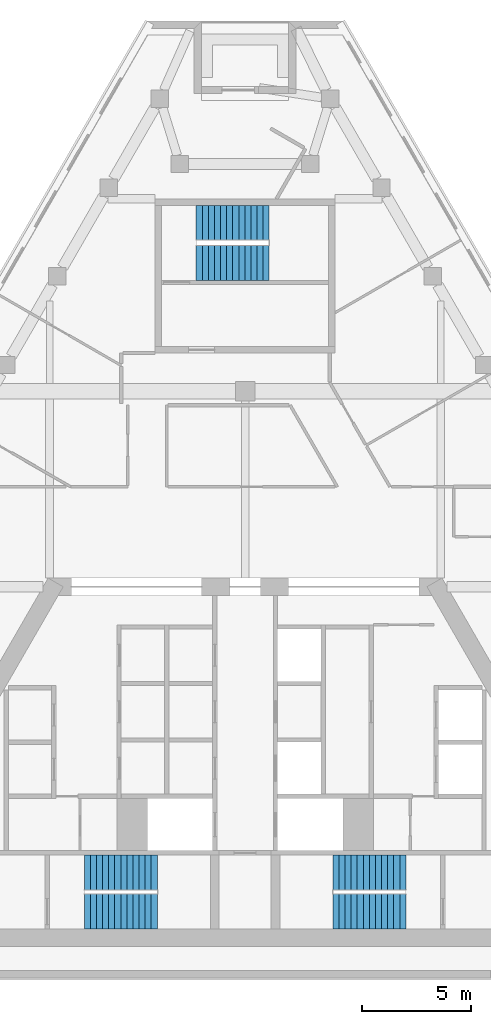
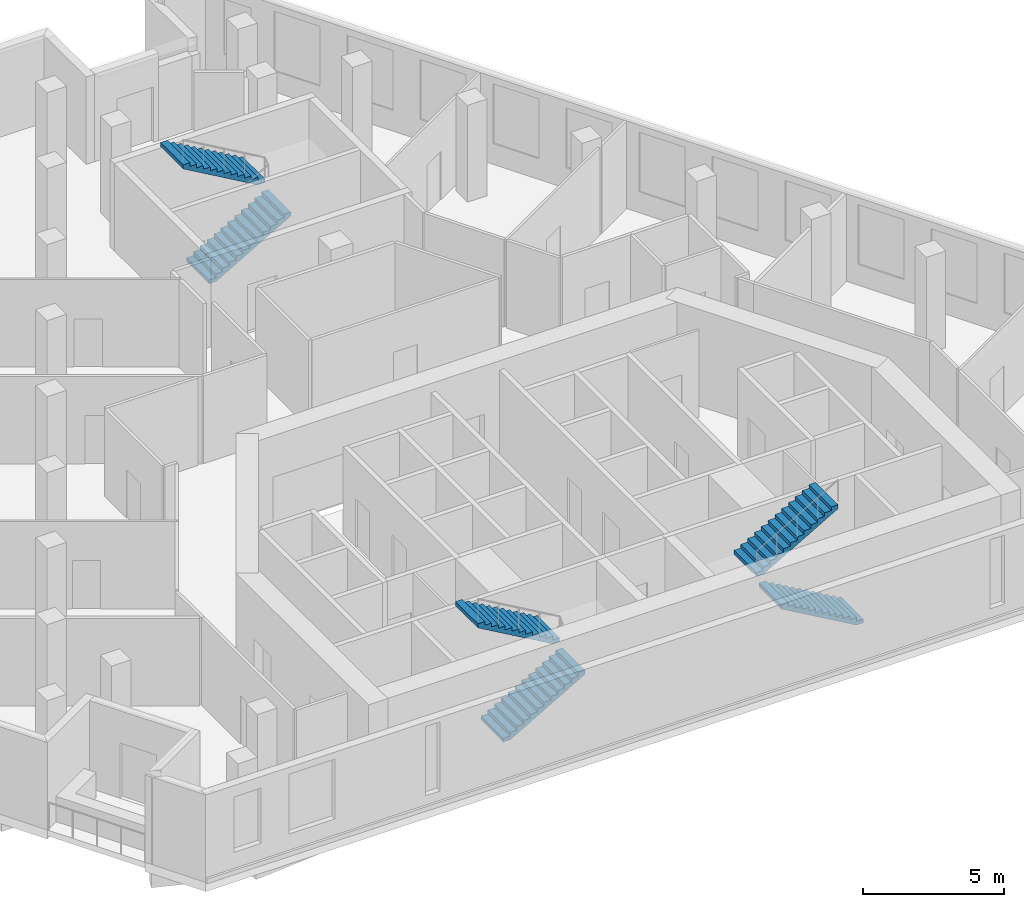
# One storey, part 8 of 9: 6 stair flights, 3 elements without a shape of their own.
"""IFC4 building model written with IfcOpenShell, lengths in metres."""

import ifcopenshell
import ifcopenshell.guid

model = None  # the IFC model being written
_history = None  # IfcOwnerHistory: only IFC2X3 demands one
_inside = {}  # id of a spatial element -> (the spatial element, [elements in it])
_under = {}  # id of a project, library or spatial element -> (it, [spatial elements below it])
_declared = {}  # id of a project -> (the project, [libraries it declares])
_typed = {}  # id of a type object -> (the type object, [elements of that type])
_made_of = {}  # id of a material, layer set ... -> (it, [elements and type objects made of it])


def new_model(schema):
    """Start an empty IFC model of exactly this schema.

    Asked for "IFC4X3", IfcOpenShell would pick the latest addendum, in which some entities
    have other attributes; the version numbers below select the first issue.
    IFC2X3 requires an IfcOwnerHistory on every rooted entity: one is made here for all.
    """
    global model, _history
    if schema == "IFC4X3":
        model = ifcopenshell.file(schema_version=(4, 3, 0, 0))
    else:
        model = ifcopenshell.file(schema=schema)
    _inside.clear()
    _under.clear()
    _declared.clear()
    _typed.clear()
    _made_of.clear()
    _history = None
    if model.schema == "IFC2X3":
        org = make("IfcOrganization", Name="unknown")
        user = make(
            "IfcPersonAndOrganization",
            ThePerson=make("IfcPerson", FamilyName="unknown"),
            TheOrganization=org,
        )
        app = make(
            "IfcApplication",
            ApplicationDeveloper=org,
            Version="unknown",
            ApplicationFullName="unknown",
            ApplicationIdentifier="unknown",
        )
        _history = make(
            "IfcOwnerHistory",
            OwningUser=user,
            OwningApplication=app,
            ChangeAction="ADDED",
            CreationDate=0,
        )
    return model


def make(cls, **values):
    """One entity of the class cls with the attributes given. An attribute that is None is left unset."""
    return model.create_entity(
        cls, **{name: value for name, value in values.items() if value is not None}
    )


def rooted(cls, **values):
    """An entity with a GlobalId (a new one), such as an element, a storey or a relation."""
    return make(cls, GlobalId=ifcopenshell.guid.new(), OwnerHistory=_history, **values)


def si_unit(unit_type, name, prefix=None):
    """IfcSIUnit, for example si_unit("LENGTHUNIT", "METRE", prefix="MILLI")."""
    return make("IfcSIUnit", UnitType=unit_type, Prefix=prefix, Name=name)


def assignment(units):
    """IfcUnitAssignment: the units of a project."""
    return None if units is None else make("IfcUnitAssignment", Units=units)


def point(xyz):
    """IfcCartesianPoint."""
    return None if xyz is None else make("IfcCartesianPoint", Coordinates=xyz)


def direction(xyz):
    """IfcDirection."""
    return None if xyz is None else make("IfcDirection", DirectionRatios=xyz)


def frame(location, z_axis=None, x_axis=None):
    """IfcAxis2Placement3D, a coordinate frame: its origin and axes. An axis left out is left unset."""
    return make(
        "IfcAxis2Placement3D",
        Location=point(location),
        Axis=direction(z_axis),
        RefDirection=direction(x_axis),
    )


def origin():
    """The frame at (0, 0, 0) with its axes left unset."""
    return frame((0.0, 0.0, 0.0))


def place(relative_to, where):
    """IfcLocalPlacement: puts the frame where relative to a parent placement (None: the world)."""
    return make(
        "IfcLocalPlacement", PlacementRelTo=relative_to, RelativePlacement=where
    )


def context(
    kind, dimensions, precision=None, world=None, true_north=None, identifier=None
):
    """IfcGeometricRepresentationContext, for example the 3D "Model" context."""
    return make(
        "IfcGeometricRepresentationContext",
        ContextIdentifier=identifier,
        ContextType=kind,
        CoordinateSpaceDimension=dimensions,
        Precision=precision,
        WorldCoordinateSystem=world,
        TrueNorth=true_north,
    )


def subcontext(parent, identifier, kind, view, scale=None):
    """IfcGeometricRepresentationSubContext, for example "Body" below "Model"."""
    return make(
        "IfcGeometricRepresentationSubContext",
        ContextIdentifier=identifier,
        ContextType=kind,
        ParentContext=parent,
        TargetScale=scale,
        TargetView=view,
    )


def project(units=None, contexts=None):
    """IfcProject with its units and contexts."""
    return rooted(
        "IfcProject",
        Name="project",
        RepresentationContexts=contexts,
        UnitsInContext=assignment(units),
    )


def spatial(cls, under=None, at=None, **own):
    """A site, building, storey or space (cls), placed at a placement, below another one or the project."""
    s = rooted(cls, ObjectPlacement=at, **own)
    if under is not None:
        _under.setdefault(under.id(), (under, []))[1].append(s)
    return s


def polyline(points):
    """IfcPolyline through the points."""
    return make("IfcPolyline", Points=[point(p) for p in points])


def outline(outer, holes=None, kind="AREA"):
    """IfcArbitraryClosedProfileDef: a profile drawn as a closed curve; with holes, ...WithVoids."""
    if holes is None:
        return make("IfcArbitraryClosedProfileDef", ProfileType=kind, OuterCurve=outer)
    return make(
        "IfcArbitraryProfileDefWithVoids",
        ProfileType=kind,
        OuterCurve=outer,
        InnerCurves=holes,
    )


def extrude(swept, where, along, depth):
    """IfcExtrudedAreaSolid: the profile swept, set in the frame where, extruded along a direction by depth."""
    return make(
        "IfcExtrudedAreaSolid",
        SweptArea=swept,
        Position=where,
        ExtrudedDirection=direction(along),
        Depth=depth,
    )


def shape(context_of_items, identifier, shape_type, items):
    """IfcShapeRepresentation: the items that make up one representation, for example the "Body"."""
    return make(
        "IfcShapeRepresentation",
        ContextOfItems=context_of_items,
        RepresentationIdentifier=identifier,
        RepresentationType=shape_type,
        Items=items,
    )


def material(Name=None, Category=None):
    """IfcMaterial."""
    return make("IfcMaterial", Name=Name, Category=Category)


def made_of(thing, what):
    """Note that an element or type object is made of a material, layer set ...; save() writes the relation."""
    if what is not None:
        _made_of.setdefault(what.id(), (what, []))[1].append(thing)
    return thing


def type_object(cls, material=None, **own):
    """A type object (cls), such as IfcWallType, which elements share."""
    return made_of(rooted(cls, **own), material)


def element(
    cls,
    number,
    at=None,
    inside=None,
    cuts=None,
    type_object=None,
    material=None,
    context=None,
    identifier="Body",
    shape_type=None,
    held_by="IfcProductDefinitionShape",
    body=None,
    shapes=None,
    **own,
):
    """One element of the class cls, such as IfcWall. Its Tag is "e" and its number.

    at: its placement. inside: the storey or other place that contains it. cuts: it is an
    opening in that element (IfcRelVoidsElement). A single representation is given by context,
    identifier, shape_type and body (its items); several are given by shapes. held_by: the class
    of the entity that holds the representations. save() writes the other relations.
    """
    e = rooted(cls, Tag="e%d" % number, ObjectPlacement=at, **own)
    if body is not None:
        shapes = [shape(context, identifier, shape_type, body)]
    if shapes is not None:
        e.Representation = make(held_by, Representations=shapes)
    if inside is not None:
        _inside.setdefault(inside.id(), (inside, []))[1].append(e)
    if cuts is not None:
        rooted(
            "IfcRelVoidsElement", RelatingBuildingElement=cuts, RelatedOpeningElement=e
        )
    if type_object is not None:
        _typed.setdefault(type_object.id(), (type_object, []))[1].append(e)
    return made_of(e, material)


def aggregate(whole, parts):
    """IfcRelAggregates: a whole, such as a stair, and the parts it consists of."""
    return rooted("IfcRelAggregates", RelatingObject=whole, RelatedObjects=parts)


def save(model, path):
    """Write the relations noted so far, then the file.

    IfcRelAggregates (storeys below a building ...), IfcRelContainedInSpatialStructure (elements
    in a storey), IfcRelDefinesByType, IfcRelAssociatesMaterial and IfcRelDeclares: one each for
    every whole, place, type object, material and project.
    """
    for whole, parts in _under.values():
        aggregate(whole, parts)
    for where, things in _inside.values():
        rooted(
            "IfcRelContainedInSpatialStructure",
            RelatedElements=things,
            RelatingStructure=where,
        )
    for kind, things in _typed.values():
        rooted("IfcRelDefinesByType", RelatedObjects=things, RelatingType=kind)
    for what, things in _made_of.values():
        rooted("IfcRelAssociatesMaterial", RelatedObjects=things, RelatingMaterial=what)
    for by, libraries in _declared.values():
        rooted("IfcRelDeclares", RelatingContext=by, RelatedDefinitions=libraries)
    model.write(path)


model = new_model("IFC4")

# Units and contexts
model_context = context("Model", 3, precision=1e-05, world=origin(), true_north=direction((0.0, 1.0)))
body_context = subcontext(model_context, "Body", "Model", "MODEL_VIEW")
ifc_project = project(units=[si_unit("LENGTHUNIT", "METRE"), si_unit("AREAUNIT", "SQUARE_METRE"), si_unit("VOLUMEUNIT", "CUBIC_METRE"), si_unit("PLANEANGLEUNIT", "RADIAN"), si_unit("MASSUNIT", "GRAM", prefix="KILO")], contexts=[model_context])

# Site, building, storey
site_placement = place(None, origin())
site = spatial("IfcSite", under=ifc_project, at=site_placement, CompositionType="ELEMENT")
building_placement = place(site_placement, origin())
building = spatial("IfcBuilding", under=site, at=building_placement, Name="Fogline Exchange Tower", CompositionType="ELEMENT")
storey_placement = place(building_placement, frame((0.0, 0.0, 287.699951171875)))
storey = spatial("IfcBuildingStorey", under=building, at=storey_placement, Name="L65", CompositionType="ELEMENT", Elevation=287.699951171875)

# Stair, stair flights
ifc_material = material(Name="Concrete C40", Category="concrete")
stair_type = type_object("IfcStairType", Name="STR26-1615", PredefinedType="HALF_TURN_STAIR", material=ifc_material)
stair_1_placement = place(storey_placement, origin())
stair_1 = element("IfcStair", 1, at=stair_1_placement, inside=storey, type_object=stair_type, Name="Stair ST1", PredefinedType="HALF_TURN_STAIR")
stair_flight_type = type_object("IfcStairFlightType", Name="SF13-1615", PredefinedType="STRAIGHT", material=ifc_material)
stair_flight_1_placement = place(storey_placement, frame((-7.39990234375, 3.050048828125, 0.0), z_axis=(0.0, 0.0, 1.0), x_axis=(1.0, 0.0, 0.0)))
stair_flight_1 = element("IfcStairFlight", 2, at=stair_flight_1_placement, type_object=stair_flight_type, Name="ST1 flight 1", NumberOfRisers=13, NumberOfTreads=12, PredefinedType="STRAIGHT", RiserHeight=0.161538462, TreadLength=0.28, context=body_context, shape_type="SweptSolid", body=[
    extrude(outline(polyline([(0.0, 0.0), (0.0, 0.16162109375), (0.280029296875, 0.16162109375), (0.280029296875, 0.322998046875), (0.56005859375, 0.322998046875), (0.56005859375, 0.484619140625), (0.840087890625, 0.484619140625), (0.840087890625, 0.646240234375), (1.1201171875, 0.646240234375), (1.1201171875, 0.8076171875), (1.39990234375, 0.8076171875), (1.39990234375, 0.96923828125), (1.679931640625, 0.96923828125), (1.679931640625, 1.130859375), (1.9599609375, 1.130859375), (1.9599609375, 1.292236328125), (2.239990234375, 1.292236328125), (2.239990234375, 1.453857421875), (2.52001953125, 1.453857421875), (2.52001953125, 1.615478515625), (2.800048828125, 1.615478515625), (2.800048828125, 1.77685546875), (3.080078125, 1.77685546875), (3.080078125, 1.9384765625), (3.360107421875, 1.9384765625), (3.360107421875, 2.10009765625), (3.360107421875, 1.765380859375), (0.300048828125, 0.0), (0.0, 0.0)])), frame((0.0, 0.800048828125, 0.0), z_axis=(0.0, -1.0, 0.0), x_axis=(1.0, 0.0, 0.0)), (0.0, 0.0, 1.0), 1.60009765625),
])
stair_flight_2_placement = place(storey_placement, frame((-4.0400390625, 4.85009765625, 2.10009765625), z_axis=(0.0, 0.0, 1.0), x_axis=(-1.0, 0.0, 0.0)))
stair_flight_2 = element("IfcStairFlight", 3, at=stair_flight_2_placement, type_object=stair_flight_type, Name="ST1 flight 2", NumberOfRisers=13, NumberOfTreads=12, PredefinedType="STRAIGHT", RiserHeight=0.161538462, TreadLength=0.28, context=body_context, shape_type="SweptSolid", body=[
    extrude(outline(polyline([(0.0, 0.0), (0.0, 0.16162109375), (0.280029296875, 0.16162109375), (0.280029296875, 0.322998046875), (0.56005859375, 0.322998046875), (0.56005859375, 0.484619140625), (0.840087890625, 0.484619140625), (0.840087890625, 0.646240234375), (1.1201171875, 0.646240234375), (1.1201171875, 0.8076171875), (1.39990234375, 0.8076171875), (1.39990234375, 0.96923828125), (1.679931640625, 0.96923828125), (1.679931640625, 1.130859375), (1.9599609375, 1.130859375), (1.9599609375, 1.292236328125), (2.239990234375, 1.292236328125), (2.239990234375, 1.453857421875), (2.52001953125, 1.453857421875), (2.52001953125, 1.615478515625), (2.800048828125, 1.615478515625), (2.800048828125, 1.77685546875), (3.080078125, 1.77685546875), (3.080078125, 1.9384765625), (3.360107421875, 1.9384765625), (3.360107421875, 2.10009765625), (3.360107421875, 1.765380859375), (0.300048828125, 0.0), (0.0, 0.0)])), frame((0.0, 0.800048828125, 0.0), z_axis=(0.0, -1.0, 0.0), x_axis=(1.0, 0.0, 0.0)), (0.0, 0.0, 1.0), 1.60009765625),
])
aggregate(stair_1, [stair_flight_1, stair_flight_2])

stair_2_placement = place(storey_placement, origin())
stair_2 = element("IfcStair", 4, at=stair_2_placement, inside=storey, type_object=stair_type, Name="Stair ST2", PredefinedType="HALF_TURN_STAIR")
stair_flight_3_placement = place(storey_placement, frame((7.39990234375, 3.050048828125, 0.0), z_axis=(0.0, 0.0, 1.0), x_axis=(-1.0, 0.0, 0.0)))
stair_flight_3 = element("IfcStairFlight", 5, at=stair_flight_3_placement, type_object=stair_flight_type, Name="ST2 flight 1", NumberOfRisers=13, NumberOfTreads=12, PredefinedType="STRAIGHT", RiserHeight=0.161538462, TreadLength=0.28, context=body_context, shape_type="SweptSolid", body=[
    extrude(outline(polyline([(0.0, 0.0), (0.0, 0.16162109375), (0.280029296875, 0.16162109375), (0.280029296875, 0.322998046875), (0.56005859375, 0.322998046875), (0.56005859375, 0.484619140625), (0.840087890625, 0.484619140625), (0.840087890625, 0.646240234375), (1.1201171875, 0.646240234375), (1.1201171875, 0.8076171875), (1.39990234375, 0.8076171875), (1.39990234375, 0.96923828125), (1.679931640625, 0.96923828125), (1.679931640625, 1.130859375), (1.9599609375, 1.130859375), (1.9599609375, 1.292236328125), (2.239990234375, 1.292236328125), (2.239990234375, 1.453857421875), (2.52001953125, 1.453857421875), (2.52001953125, 1.615478515625), (2.800048828125, 1.615478515625), (2.800048828125, 1.77685546875), (3.080078125, 1.77685546875), (3.080078125, 1.9384765625), (3.360107421875, 1.9384765625), (3.360107421875, 2.10009765625), (3.360107421875, 1.765380859375), (0.300048828125, 0.0), (0.0, 0.0)])), frame((0.0, 0.800048828125, 0.0), z_axis=(0.0, -1.0, 0.0), x_axis=(1.0, 0.0, 0.0)), (0.0, 0.0, 1.0), 1.60009765625),
])
stair_flight_4_placement = place(storey_placement, frame((4.0400390625, 4.85009765625, 2.10009765625), z_axis=(0.0, 0.0, 1.0), x_axis=(1.0, 0.0, 0.0)))
stair_flight_4 = element("IfcStairFlight", 6, at=stair_flight_4_placement, type_object=stair_flight_type, Name="ST2 flight 2", NumberOfRisers=13, NumberOfTreads=12, PredefinedType="STRAIGHT", RiserHeight=0.161538462, TreadLength=0.28, context=body_context, shape_type="SweptSolid", body=[
    extrude(outline(polyline([(0.0, 0.0), (0.0, 0.16162109375), (0.280029296875, 0.16162109375), (0.280029296875, 0.322998046875), (0.56005859375, 0.322998046875), (0.56005859375, 0.484619140625), (0.840087890625, 0.484619140625), (0.840087890625, 0.646240234375), (1.1201171875, 0.646240234375), (1.1201171875, 0.8076171875), (1.39990234375, 0.8076171875), (1.39990234375, 0.96923828125), (1.679931640625, 0.96923828125), (1.679931640625, 1.130859375), (1.9599609375, 1.130859375), (1.9599609375, 1.292236328125), (2.239990234375, 1.292236328125), (2.239990234375, 1.453857421875), (2.52001953125, 1.453857421875), (2.52001953125, 1.615478515625), (2.800048828125, 1.615478515625), (2.800048828125, 1.77685546875), (3.080078125, 1.77685546875), (3.080078125, 1.9384765625), (3.360107421875, 1.9384765625), (3.360107421875, 2.10009765625), (3.360107421875, 1.765380859375), (0.300048828125, 0.0), (0.0, 0.0)])), frame((0.0, 0.800048828125, 0.0), z_axis=(0.0, -1.0, 0.0), x_axis=(1.0, 0.0, 0.0)), (0.0, 0.0, 1.0), 1.60009765625),
])
aggregate(stair_2, [stair_flight_3, stair_flight_4])

stair_3_placement = place(storey_placement, origin())
stair_3 = element("IfcStair", 7, at=stair_3_placement, inside=storey, type_object=stair_type, Name="Stair ST3", PredefinedType="HALF_TURN_STAIR")
stair_flight_5_placement = place(storey_placement, frame((-2.25, 32.906982421875, 0.0), z_axis=(0.0, 0.0, 1.0), x_axis=(1.0, 0.0, 0.0)))
stair_flight_5 = element("IfcStairFlight", 8, at=stair_flight_5_placement, type_object=stair_flight_type, Name="ST3 flight 1", NumberOfRisers=13, NumberOfTreads=12, PredefinedType="STRAIGHT", RiserHeight=0.161538462, TreadLength=0.28, context=body_context, shape_type="SweptSolid", body=[
    extrude(outline(polyline([(0.0, 0.0), (0.0, 0.16162109375), (0.280029296875, 0.16162109375), (0.280029296875, 0.322998046875), (0.56005859375, 0.322998046875), (0.56005859375, 0.484619140625), (0.840087890625, 0.484619140625), (0.840087890625, 0.646240234375), (1.1201171875, 0.646240234375), (1.1201171875, 0.8076171875), (1.39990234375, 0.8076171875), (1.39990234375, 0.96923828125), (1.679931640625, 0.96923828125), (1.679931640625, 1.130859375), (1.9599609375, 1.130859375), (1.9599609375, 1.292236328125), (2.239990234375, 1.292236328125), (2.239990234375, 1.453857421875), (2.52001953125, 1.453857421875), (2.52001953125, 1.615478515625), (2.800048828125, 1.615478515625), (2.800048828125, 1.77685546875), (3.080078125, 1.77685546875), (3.080078125, 1.9384765625), (3.360107421875, 1.9384765625), (3.360107421875, 2.10009765625), (3.360107421875, 1.765380859375), (0.300048828125, 0.0), (0.0, 0.0)])), frame((0.0, 0.800048828125, 0.0), z_axis=(0.0, -1.0, 0.0), x_axis=(1.0, 0.0, 0.0)), (0.0, 0.0, 1.0), 1.60009765625),
])
stair_flight_6_placement = place(storey_placement, frame((1.110107421875, 34.757080078125, 2.10009765625), z_axis=(0.0, 0.0, 1.0), x_axis=(-1.0, 0.0, 0.0)))
stair_flight_6 = element("IfcStairFlight", 9, at=stair_flight_6_placement, type_object=stair_flight_type, Name="ST3 flight 2", NumberOfRisers=13, NumberOfTreads=12, PredefinedType="STRAIGHT", RiserHeight=0.161538462, TreadLength=0.28, context=body_context, shape_type="SweptSolid", body=[
    extrude(outline(polyline([(0.0, 0.0), (0.0, 0.16162109375), (0.280029296875, 0.16162109375), (0.280029296875, 0.322998046875), (0.56005859375, 0.322998046875), (0.56005859375, 0.484619140625), (0.840087890625, 0.484619140625), (0.840087890625, 0.646240234375), (1.1201171875, 0.646240234375), (1.1201171875, 0.8076171875), (1.39990234375, 0.8076171875), (1.39990234375, 0.96923828125), (1.679931640625, 0.96923828125), (1.679931640625, 1.130859375), (1.9599609375, 1.130859375), (1.9599609375, 1.292236328125), (2.239990234375, 1.292236328125), (2.239990234375, 1.453857421875), (2.52001953125, 1.453857421875), (2.52001953125, 1.615478515625), (2.800048828125, 1.615478515625), (2.800048828125, 1.77685546875), (3.080078125, 1.77685546875), (3.080078125, 1.9384765625), (3.360107421875, 1.9384765625), (3.360107421875, 2.10009765625), (3.360107421875, 1.765380859375), (0.300048828125, 0.0), (0.0, 0.0)])), frame((0.0, 0.800048828125, 0.0), z_axis=(0.0, -1.0, 0.0), x_axis=(1.0, 0.0, 0.0)), (0.0, 0.0, 1.0), 1.60009765625),
])
aggregate(stair_3, [stair_flight_5, stair_flight_6])

save(model, "model.ifc")
